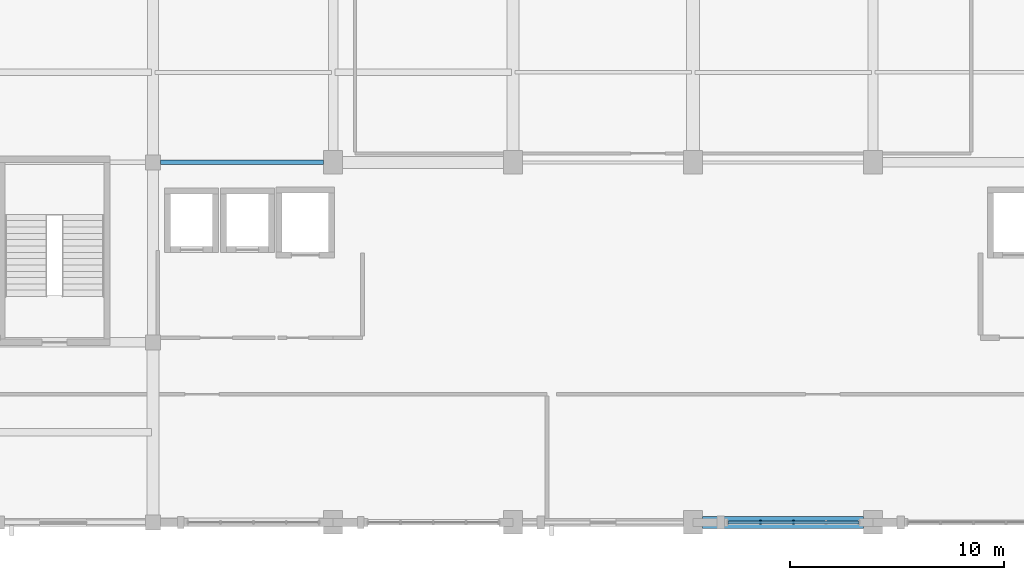
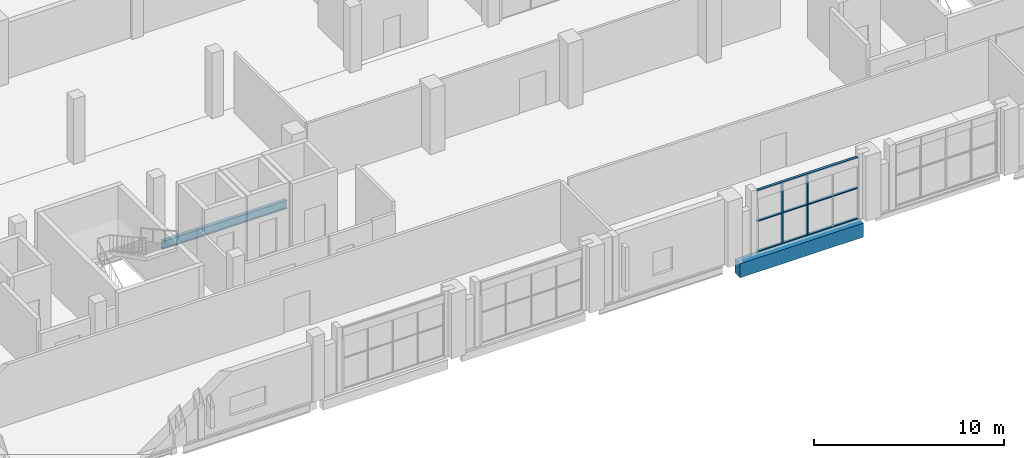
# One storey, part 11 of 64: 5 members, 2 beams, 1 element without a shape of its own.
"""IFC4 building model written with IfcOpenShell, lengths in metres."""

import ifcopenshell
import ifcopenshell.guid

model = None  # the IFC model being written
_history = None  # IfcOwnerHistory: only IFC2X3 demands one
_inside = {}  # id of a spatial element -> (the spatial element, [elements in it])
_under = {}  # id of a project, library or spatial element -> (it, [spatial elements below it])
_declared = {}  # id of a project -> (the project, [libraries it declares])
_typed = {}  # id of a type object -> (the type object, [elements of that type])
_made_of = {}  # id of a material, layer set ... -> (it, [elements and type objects made of it])


def new_model(schema):
    """Start an empty IFC model of exactly this schema.

    Asked for "IFC4X3", IfcOpenShell would pick the latest addendum, in which some entities
    have other attributes; the version numbers below select the first issue.
    IFC2X3 requires an IfcOwnerHistory on every rooted entity: one is made here for all.
    """
    global model, _history
    if schema == "IFC4X3":
        model = ifcopenshell.file(schema_version=(4, 3, 0, 0))
    else:
        model = ifcopenshell.file(schema=schema)
    _inside.clear()
    _under.clear()
    _declared.clear()
    _typed.clear()
    _made_of.clear()
    _history = None
    if model.schema == "IFC2X3":
        org = make("IfcOrganization", Name="unknown")
        user = make(
            "IfcPersonAndOrganization",
            ThePerson=make("IfcPerson", FamilyName="unknown"),
            TheOrganization=org,
        )
        app = make(
            "IfcApplication",
            ApplicationDeveloper=org,
            Version="unknown",
            ApplicationFullName="unknown",
            ApplicationIdentifier="unknown",
        )
        _history = make(
            "IfcOwnerHistory",
            OwningUser=user,
            OwningApplication=app,
            ChangeAction="ADDED",
            CreationDate=0,
        )
    return model


def make(cls, **values):
    """One entity of the class cls with the attributes given. An attribute that is None is left unset."""
    return model.create_entity(
        cls, **{name: value for name, value in values.items() if value is not None}
    )


def rooted(cls, **values):
    """An entity with a GlobalId (a new one), such as an element, a storey or a relation."""
    return make(cls, GlobalId=ifcopenshell.guid.new(), OwnerHistory=_history, **values)


def si_unit(unit_type, name, prefix=None):
    """IfcSIUnit, for example si_unit("LENGTHUNIT", "METRE", prefix="MILLI")."""
    return make("IfcSIUnit", UnitType=unit_type, Prefix=prefix, Name=name)


def derived_unit(unit_type, elements):
    """IfcDerivedUnit: a product of units, each with its exponent."""
    return make(
        "IfcDerivedUnit",
        Elements=[
            make("IfcDerivedUnitElement", Unit=unit, Exponent=power)
            for unit, power in elements
        ],
        UnitType=unit_type,
    )


def assignment(units):
    """IfcUnitAssignment: the units of a project."""
    return None if units is None else make("IfcUnitAssignment", Units=units)


def point(xyz):
    """IfcCartesianPoint."""
    return None if xyz is None else make("IfcCartesianPoint", Coordinates=xyz)


def direction(xyz):
    """IfcDirection."""
    return None if xyz is None else make("IfcDirection", DirectionRatios=xyz)


def frame(location, z_axis=None, x_axis=None):
    """IfcAxis2Placement3D, a coordinate frame: its origin and axes. An axis left out is left unset."""
    return make(
        "IfcAxis2Placement3D",
        Location=point(location),
        Axis=direction(z_axis),
        RefDirection=direction(x_axis),
    )


def frame_2d(location, x_axis=None):
    """IfcAxis2Placement2D, a coordinate frame in the plane: its origin and x axis."""
    return make(
        "IfcAxis2Placement2D", Location=point(location), RefDirection=direction(x_axis)
    )


def origin():
    """The frame at (0, 0, 0) with its axes left unset."""
    return frame((0.0, 0.0, 0.0))


def origin_2d():
    """The frame at (0, 0) in the plane with its x axis left unset."""
    return frame_2d((0.0, 0.0))


def place(relative_to, where):
    """IfcLocalPlacement: puts the frame where relative to a parent placement (None: the world)."""
    return make(
        "IfcLocalPlacement", PlacementRelTo=relative_to, RelativePlacement=where
    )


def context(
    kind, dimensions, precision=None, world=None, true_north=None, identifier=None
):
    """IfcGeometricRepresentationContext, for example the 3D "Model" context."""
    return make(
        "IfcGeometricRepresentationContext",
        ContextIdentifier=identifier,
        ContextType=kind,
        CoordinateSpaceDimension=dimensions,
        Precision=precision,
        WorldCoordinateSystem=world,
        TrueNorth=true_north,
    )


def subcontext(parent, identifier, kind, view, scale=None):
    """IfcGeometricRepresentationSubContext, for example "Body" below "Model"."""
    return make(
        "IfcGeometricRepresentationSubContext",
        ContextIdentifier=identifier,
        ContextType=kind,
        ParentContext=parent,
        TargetScale=scale,
        TargetView=view,
    )


def project(units=None, contexts=None):
    """IfcProject with its units and contexts."""
    return rooted(
        "IfcProject",
        Name="project",
        RepresentationContexts=contexts,
        UnitsInContext=assignment(units),
    )


def spatial(cls, under=None, at=None, **own):
    """A site, building, storey or space (cls), placed at a placement, below another one or the project."""
    s = rooted(cls, ObjectPlacement=at, **own)
    if under is not None:
        _under.setdefault(under.id(), (under, []))[1].append(s)
    return s


def profile(cls, at=None, kind="AREA", **sizes):
    """A parametric profile (cls). Its sizes go by their IFC names, for example OverallWidth=200.0."""
    return make(cls, ProfileType=kind, Position=at, **sizes)


def rectangle(**sizes):
    """IfcRectangleProfileDef."""
    return profile("IfcRectangleProfileDef", **sizes)


def i_section(**sizes):
    """IfcIShapeProfileDef."""
    return profile("IfcIShapeProfileDef", **sizes)


def extrude(swept, where, along, depth):
    """IfcExtrudedAreaSolid: the profile swept, set in the frame where, extruded along a direction by depth."""
    return make(
        "IfcExtrudedAreaSolid",
        SweptArea=swept,
        Position=where,
        ExtrudedDirection=direction(along),
        Depth=depth,
    )


def shape(context_of_items, identifier, shape_type, items):
    """IfcShapeRepresentation: the items that make up one representation, for example the "Body"."""
    return make(
        "IfcShapeRepresentation",
        ContextOfItems=context_of_items,
        RepresentationIdentifier=identifier,
        RepresentationType=shape_type,
        Items=items,
    )


def material(Name=None, Category=None):
    """IfcMaterial."""
    return make("IfcMaterial", Name=Name, Category=Category)


def material_profile(
    of_material, cross_section, Name=None, Category=None, Priority=None
):
    """IfcMaterialProfile: a cross section and its material."""
    return make(
        "IfcMaterialProfile",
        Name=Name,
        Material=of_material,
        Profile=cross_section,
        Priority=Priority,
        Category=Category,
    )


def profile_set(profiles, Name=None, composite=None):
    """IfcMaterialProfileSet."""
    return make(
        "IfcMaterialProfileSet",
        Name=Name,
        MaterialProfiles=profiles,
        CompositeProfile=composite,
    )


def made_of(thing, what):
    """Note that an element or type object is made of a material, layer set ...; save() writes the relation."""
    if what is not None:
        _made_of.setdefault(what.id(), (what, []))[1].append(thing)
    return thing


def type_object(cls, material=None, **own):
    """A type object (cls), such as IfcWallType, which elements share."""
    return made_of(rooted(cls, **own), material)


def element(
    cls,
    number,
    at=None,
    inside=None,
    cuts=None,
    type_object=None,
    material=None,
    context=None,
    identifier="Body",
    shape_type=None,
    held_by="IfcProductDefinitionShape",
    body=None,
    shapes=None,
    **own,
):
    """One element of the class cls, such as IfcWall. Its Tag is "e" and its number.

    at: its placement. inside: the storey or other place that contains it. cuts: it is an
    opening in that element (IfcRelVoidsElement). A single representation is given by context,
    identifier, shape_type and body (its items); several are given by shapes. held_by: the class
    of the entity that holds the representations. save() writes the other relations.
    """
    e = rooted(cls, Tag="e%d" % number, ObjectPlacement=at, **own)
    if body is not None:
        shapes = [shape(context, identifier, shape_type, body)]
    if shapes is not None:
        e.Representation = make(held_by, Representations=shapes)
    if inside is not None:
        _inside.setdefault(inside.id(), (inside, []))[1].append(e)
    if cuts is not None:
        rooted(
            "IfcRelVoidsElement", RelatingBuildingElement=cuts, RelatedOpeningElement=e
        )
    if type_object is not None:
        _typed.setdefault(type_object.id(), (type_object, []))[1].append(e)
    return made_of(e, material)


def aggregate(whole, parts):
    """IfcRelAggregates: a whole, such as a stair, and the parts it consists of."""
    return rooted("IfcRelAggregates", RelatingObject=whole, RelatedObjects=parts)


def save(model, path):
    """Write the relations noted so far, then the file.

    IfcRelAggregates (storeys below a building ...), IfcRelContainedInSpatialStructure (elements
    in a storey), IfcRelDefinesByType, IfcRelAssociatesMaterial and IfcRelDeclares: one each for
    every whole, place, type object, material and project.
    """
    for whole, parts in _under.values():
        aggregate(whole, parts)
    for where, things in _inside.values():
        rooted(
            "IfcRelContainedInSpatialStructure",
            RelatedElements=things,
            RelatingStructure=where,
        )
    for kind, things in _typed.values():
        rooted("IfcRelDefinesByType", RelatedObjects=things, RelatingType=kind)
    for what, things in _made_of.values():
        rooted("IfcRelAssociatesMaterial", RelatedObjects=things, RelatingMaterial=what)
    for by, libraries in _declared.values():
        rooted("IfcRelDeclares", RelatingContext=by, RelatedDefinitions=libraries)
    model.write(path)


model = new_model("IFC4")

# Units and contexts
model_context = context("Model", 3, precision=1e-05, world=origin(), true_north=direction((0.0, 1.0)))
body_context = subcontext(model_context, "Body", "Model", "MODEL_VIEW")
ifc_project = project(units=[si_unit("LENGTHUNIT", "METRE"), si_unit("AREAUNIT", "SQUARE_METRE"), si_unit("VOLUMEUNIT", "CUBIC_METRE"), si_unit("PLANEANGLEUNIT", "RADIAN"), si_unit("MASSUNIT", "GRAM", prefix="KILO"), derived_unit("THERMALTRANSMITTANCEUNIT", [(si_unit("POWERUNIT", "WATT"), 1), (si_unit("LENGTHUNIT", "METRE"), -2), (si_unit("THERMODYNAMICTEMPERATUREUNIT", "KELVIN"), -1)])], contexts=[model_context])

# Site, building, storey
site_placement = place(None, origin())
site = spatial("IfcSite", under=ifc_project, at=site_placement, CompositionType="ELEMENT")
building_placement = place(site_placement, origin())
building = spatial("IfcBuilding", under=site, at=building_placement, Name="Barrovel Congress Hotel", CompositionType="ELEMENT")
storey_placement = place(building_placement, frame((0.0, 0.0, 14.10009765625)))
storey = spatial("IfcBuildingStorey", under=building, at=storey_placement, Name="L03", CompositionType="ELEMENT", Elevation=14.10009765625)

# Beam
ifc_material_1 = material(Name="Concrete C40", Category="concrete")
ifc_material_profile_1 = material_profile(ifc_material_1, rectangle(XDim=0.550048828125, YDim=0.89990234375, at=origin_2d()), Name="RC550x900")
ifc_profile_set_1 = profile_set([ifc_material_profile_1], Name="Concrete C40")
beam_type_1 = type_object("IfcBeamType", Name="BM-RC550x900", PredefinedType="BEAM", material=ifc_profile_set_1)
beam_1_placement = place(storey_placement, frame((59.25, 4.199951171875, -0.690185546875), z_axis=(1.0, 0.0, 0.0), x_axis=(0.0, 1.0, 0.0)))
element("IfcBeam", 1, at=beam_1_placement, inside=storey, type_object=beam_type_1, Name="BMX:L03:4.2:58.8-67.2", PredefinedType="BEAM", context=body_context, shape_type="SweptSolid", body=[
    extrude(rectangle(XDim=0.550048828125, YDim=0.89990234375, at=origin_2d()), origin(), (0.0, 0.0, 1.0), 7.5),
])

# Curtain wall, members
ifc_material_2 = material(Name="Anodised Aluminium Alloy 6063-T6", Category="aluminium")
curtain_wall_type = type_object("IfcCurtainWallType", Name="CW-ST-7200x3600", PredefinedType="USERDEFINED", material=ifc_material_2)
curtain_wall_placement = place(storey_placement, origin())
curtain_wall = element("IfcCurtainWall", 2, at=curtain_wall_placement, inside=storey, type_object=curtain_wall_type, Name="CW:L03:S:07", ObjectType="STICK CURTAIN WALL", PredefinedType="USERDEFINED")
ifc_material_profile_2 = material_profile(ifc_material_2, rectangle(XDim=0.06494140625, YDim=0.18994140625, at=origin_2d()), Name="AL-M65x190")
ifc_profile_set_2 = profile_set([ifc_material_profile_2], Name="Anodised Aluminium Alloy 6063-T6")
member_type_1 = type_object("IfcMemberType", Name="CWM-AL-M65x190", PredefinedType="MULLION", material=ifc_profile_set_2)
member_1_placement = place(storey_placement, frame((61.949951171875, 4.199951171875, 0.0), z_axis=(0.0, 0.0, 1.0), x_axis=(1.0, 0.0, 0.0)))
member_1 = element("IfcMember", 3, at=member_1_placement, type_object=member_type_1, Name="CW:L03:S:07:M1", PredefinedType="MULLION", context=body_context, shape_type="SweptSolid", body=[
    extrude(rectangle(XDim=0.06494140625, YDim=0.18994140625, at=origin_2d()), origin(), (0.0, 0.0, 1.0), 3.919921875),
])
member_2_placement = place(storey_placement, frame((63.47998046875, 4.199951171875, 0.0), z_axis=(0.0, 0.0, 1.0), x_axis=(1.0, 0.0, 0.0)))
member_2 = element("IfcMember", 4, at=member_2_placement, type_object=member_type_1, Name="CW:L03:S:07:M2", PredefinedType="MULLION", context=body_context, shape_type="SweptSolid", body=[
    extrude(rectangle(XDim=0.06494140625, YDim=0.18994140625, at=origin_2d()), origin(), (0.0, 0.0, 1.0), 3.919921875),
])
ifc_material_profile_3 = material_profile(ifc_material_2, rectangle(XDim=0.14990234375, YDim=0.06494140625, at=origin_2d()), Name="AL-T65x150")
ifc_profile_set_3 = profile_set([ifc_material_profile_3], Name="Anodised Aluminium Alloy 6063-T6")
member_type_2 = type_object("IfcMemberType", Name="CWT-AL-T65x150", PredefinedType="USERDEFINED", material=ifc_profile_set_3)
member_3_placement = place(storey_placement, frame((60.419921875, 4.199951171875, 0.0), z_axis=(1.0, 0.0, 0.0), x_axis=(0.0, 1.0, 0.0)))
member_3 = element("IfcMember", 5, at=member_3_placement, type_object=member_type_2, Name="CW:L03:S:07:T0", ObjectType="TRANSOM", PredefinedType="USERDEFINED", context=body_context, shape_type="SweptSolid", body=[
    extrude(rectangle(XDim=0.14990234375, YDim=0.06494140625, at=origin_2d()), origin(), (0.0, 0.0, 1.0), 6.1201171875),
])
member_4_placement = place(storey_placement, frame((60.419921875, 4.199951171875, 1.9599609375), z_axis=(1.0, 0.0, 0.0), x_axis=(0.0, 1.0, 0.0)))
member_4 = element("IfcMember", 6, at=member_4_placement, type_object=member_type_2, Name="CW:L03:S:07:T1", ObjectType="TRANSOM", PredefinedType="USERDEFINED", context=body_context, shape_type="SweptSolid", body=[
    extrude(rectangle(XDim=0.14990234375, YDim=0.06494140625, at=origin_2d()), origin(), (0.0, 0.0, 1.0), 6.1201171875),
])
member_5_placement = place(storey_placement, frame((60.419921875, 4.199951171875, 3.919921875), z_axis=(1.0, 0.0, 0.0), x_axis=(0.0, 1.0, 0.0)))
member_5 = element("IfcMember", 7, at=member_5_placement, type_object=member_type_2, Name="CW:L03:S:07:T2", ObjectType="TRANSOM", PredefinedType="USERDEFINED", context=body_context, shape_type="SweptSolid", body=[
    extrude(rectangle(XDim=0.14990234375, YDim=0.06494140625, at=origin_2d()), origin(), (0.0, 0.0, 1.0), 6.1201171875),
])
aggregate(curtain_wall, [member_1, member_2, member_3, member_4, member_5])

# Beam
ifc_material_3 = material(Name="Steel ASTM A992 Grade 50", Category="steel")
ifc_material_profile_4 = material_profile(ifc_material_3, i_section(OverallWidth=0.208984375, OverallDepth=0.532958984375, WebThickness=0.01025390625, FlangeThickness=0.015625, FilletRadius=0.013916015625, at=origin_2d()), Name="W530x92")
ifc_profile_set_4 = profile_set([ifc_material_profile_4], Name="Steel ASTM A992 Grade 50")
beam_type_2 = type_object("IfcBeamType", Name="SBM-W530x92", PredefinedType="BEAM", material=ifc_profile_set_4)
beam_2_placement = place(storey_placement, frame((33.949951171875, 21.0, -0.506591796875), z_axis=(1.0, 0.0, 0.0), x_axis=(0.0, 1.0, 0.0)))
element("IfcBeam", 8, at=beam_2_placement, inside=storey, type_object=beam_type_2, Name="BMX:L03:21.0:33.6-42.0", PredefinedType="BEAM", context=body_context, shape_type="SweptSolid", body=[
    extrude(i_section(OverallWidth=0.208984375, OverallDepth=0.532958984375, WebThickness=0.01025390625, FlangeThickness=0.015625, FilletRadius=0.013916015625, at=origin_2d()), origin(), (0.0, 0.0, 1.0), 7.60009765625),
])

save(model, "model.ifc")
